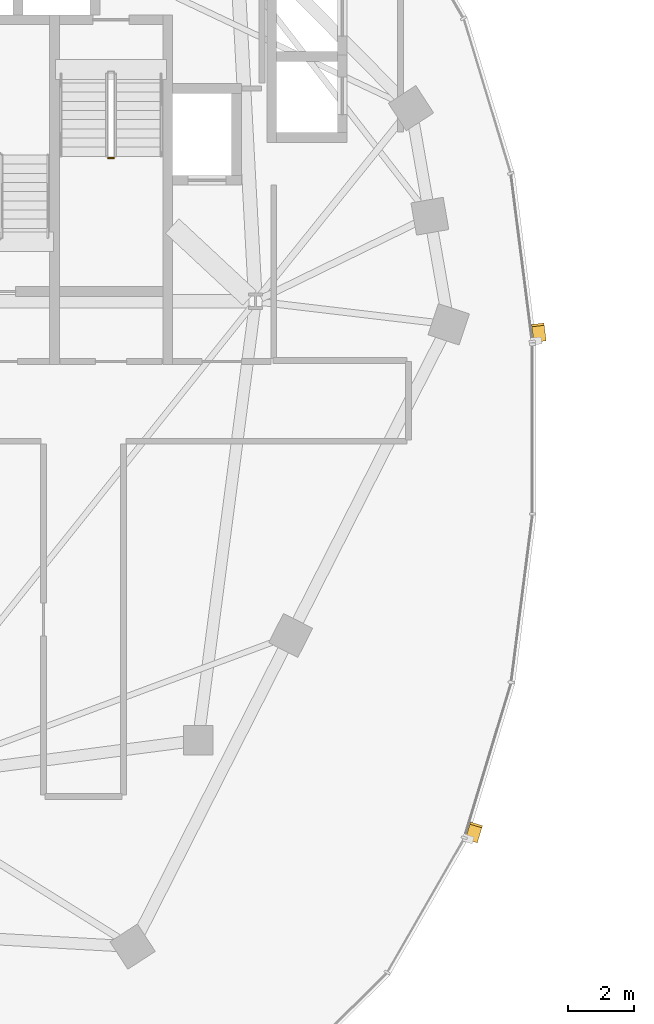
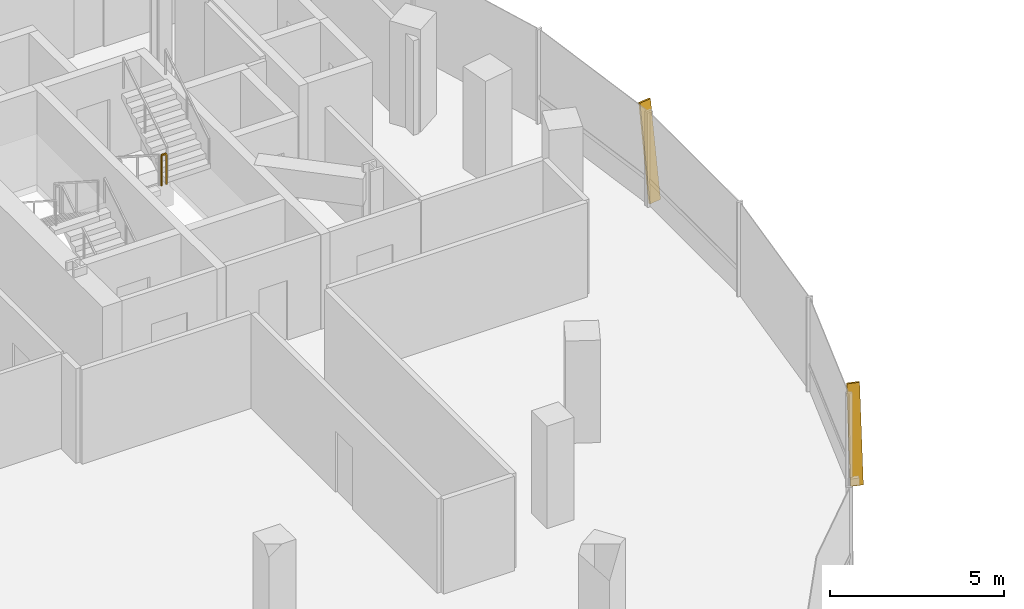
# One storey, part 18 of 21: 2 shading devices, 1 railing.
"""IFC4 building model written with IfcOpenShell, lengths in metres."""

import ifcopenshell
import ifcopenshell.guid

model = None  # the IFC model being written
_history = None  # IfcOwnerHistory: only IFC2X3 demands one
_inside = {}  # id of a spatial element -> (the spatial element, [elements in it])
_under = {}  # id of a project, library or spatial element -> (it, [spatial elements below it])
_declared = {}  # id of a project -> (the project, [libraries it declares])
_typed = {}  # id of a type object -> (the type object, [elements of that type])
_made_of = {}  # id of a material, layer set ... -> (it, [elements and type objects made of it])


def new_model(schema):
    """Start an empty IFC model of exactly this schema.

    Asked for "IFC4X3", IfcOpenShell would pick the latest addendum, in which some entities
    have other attributes; the version numbers below select the first issue.
    IFC2X3 requires an IfcOwnerHistory on every rooted entity: one is made here for all.
    """
    global model, _history
    if schema == "IFC4X3":
        model = ifcopenshell.file(schema_version=(4, 3, 0, 0))
    else:
        model = ifcopenshell.file(schema=schema)
    _inside.clear()
    _under.clear()
    _declared.clear()
    _typed.clear()
    _made_of.clear()
    _history = None
    if model.schema == "IFC2X3":
        org = make("IfcOrganization", Name="unknown")
        user = make(
            "IfcPersonAndOrganization",
            ThePerson=make("IfcPerson", FamilyName="unknown"),
            TheOrganization=org,
        )
        app = make(
            "IfcApplication",
            ApplicationDeveloper=org,
            Version="unknown",
            ApplicationFullName="unknown",
            ApplicationIdentifier="unknown",
        )
        _history = make(
            "IfcOwnerHistory",
            OwningUser=user,
            OwningApplication=app,
            ChangeAction="ADDED",
            CreationDate=0,
        )
    return model


def make(cls, **values):
    """One entity of the class cls with the attributes given. An attribute that is None is left unset."""
    return model.create_entity(
        cls, **{name: value for name, value in values.items() if value is not None}
    )


def rooted(cls, **values):
    """An entity with a GlobalId (a new one), such as an element, a storey or a relation."""
    return make(cls, GlobalId=ifcopenshell.guid.new(), OwnerHistory=_history, **values)


def si_unit(unit_type, name, prefix=None):
    """IfcSIUnit, for example si_unit("LENGTHUNIT", "METRE", prefix="MILLI")."""
    return make("IfcSIUnit", UnitType=unit_type, Prefix=prefix, Name=name)


def assignment(units):
    """IfcUnitAssignment: the units of a project."""
    return None if units is None else make("IfcUnitAssignment", Units=units)


def point(xyz):
    """IfcCartesianPoint."""
    return None if xyz is None else make("IfcCartesianPoint", Coordinates=xyz)


def direction(xyz):
    """IfcDirection."""
    return None if xyz is None else make("IfcDirection", DirectionRatios=xyz)


def frame(location, z_axis=None, x_axis=None):
    """IfcAxis2Placement3D, a coordinate frame: its origin and axes. An axis left out is left unset."""
    return make(
        "IfcAxis2Placement3D",
        Location=point(location),
        Axis=direction(z_axis),
        RefDirection=direction(x_axis),
    )


def frame_2d(location, x_axis=None):
    """IfcAxis2Placement2D, a coordinate frame in the plane: its origin and x axis."""
    return make(
        "IfcAxis2Placement2D", Location=point(location), RefDirection=direction(x_axis)
    )


def origin():
    """The frame at (0, 0, 0) with its axes left unset."""
    return frame((0.0, 0.0, 0.0))


def origin_2d():
    """The frame at (0, 0) in the plane with its x axis left unset."""
    return frame_2d((0.0, 0.0))


def place(relative_to, where):
    """IfcLocalPlacement: puts the frame where relative to a parent placement (None: the world)."""
    return make(
        "IfcLocalPlacement", PlacementRelTo=relative_to, RelativePlacement=where
    )


def context(
    kind, dimensions, precision=None, world=None, true_north=None, identifier=None
):
    """IfcGeometricRepresentationContext, for example the 3D "Model" context."""
    return make(
        "IfcGeometricRepresentationContext",
        ContextIdentifier=identifier,
        ContextType=kind,
        CoordinateSpaceDimension=dimensions,
        Precision=precision,
        WorldCoordinateSystem=world,
        TrueNorth=true_north,
    )


def subcontext(parent, identifier, kind, view, scale=None):
    """IfcGeometricRepresentationSubContext, for example "Body" below "Model"."""
    return make(
        "IfcGeometricRepresentationSubContext",
        ContextIdentifier=identifier,
        ContextType=kind,
        ParentContext=parent,
        TargetScale=scale,
        TargetView=view,
    )


def project(units=None, contexts=None):
    """IfcProject with its units and contexts."""
    return rooted(
        "IfcProject",
        Name="project",
        RepresentationContexts=contexts,
        UnitsInContext=assignment(units),
    )


def spatial(cls, under=None, at=None, **own):
    """A site, building, storey or space (cls), placed at a placement, below another one or the project."""
    s = rooted(cls, ObjectPlacement=at, **own)
    if under is not None:
        _under.setdefault(under.id(), (under, []))[1].append(s)
    return s


def profile(cls, at=None, kind="AREA", **sizes):
    """A parametric profile (cls). Its sizes go by their IFC names, for example OverallWidth=200.0."""
    return make(cls, ProfileType=kind, Position=at, **sizes)


def rectangle(**sizes):
    """IfcRectangleProfileDef."""
    return profile("IfcRectangleProfileDef", **sizes)


def extrude(swept, where, along, depth):
    """IfcExtrudedAreaSolid: the profile swept, set in the frame where, extruded along a direction by depth."""
    return make(
        "IfcExtrudedAreaSolid",
        SweptArea=swept,
        Position=where,
        ExtrudedDirection=direction(along),
        Depth=depth,
    )


def shape(context_of_items, identifier, shape_type, items):
    """IfcShapeRepresentation: the items that make up one representation, for example the "Body"."""
    return make(
        "IfcShapeRepresentation",
        ContextOfItems=context_of_items,
        RepresentationIdentifier=identifier,
        RepresentationType=shape_type,
        Items=items,
    )


def material(Name=None, Category=None):
    """IfcMaterial."""
    return make("IfcMaterial", Name=Name, Category=Category)


def material_profile(
    of_material, cross_section, Name=None, Category=None, Priority=None
):
    """IfcMaterialProfile: a cross section and its material."""
    return make(
        "IfcMaterialProfile",
        Name=Name,
        Material=of_material,
        Profile=cross_section,
        Priority=Priority,
        Category=Category,
    )


def profile_set(profiles, Name=None, composite=None):
    """IfcMaterialProfileSet."""
    return make(
        "IfcMaterialProfileSet",
        Name=Name,
        MaterialProfiles=profiles,
        CompositeProfile=composite,
    )


def made_of(thing, what):
    """Note that an element or type object is made of a material, layer set ...; save() writes the relation."""
    if what is not None:
        _made_of.setdefault(what.id(), (what, []))[1].append(thing)
    return thing


def type_object(cls, material=None, **own):
    """A type object (cls), such as IfcWallType, which elements share."""
    return made_of(rooted(cls, **own), material)


def element(
    cls,
    number,
    at=None,
    inside=None,
    cuts=None,
    type_object=None,
    material=None,
    context=None,
    identifier="Body",
    shape_type=None,
    held_by="IfcProductDefinitionShape",
    body=None,
    shapes=None,
    **own,
):
    """One element of the class cls, such as IfcWall. Its Tag is "e" and its number.

    at: its placement. inside: the storey or other place that contains it. cuts: it is an
    opening in that element (IfcRelVoidsElement). A single representation is given by context,
    identifier, shape_type and body (its items); several are given by shapes. held_by: the class
    of the entity that holds the representations. save() writes the other relations.
    """
    e = rooted(cls, Tag="e%d" % number, ObjectPlacement=at, **own)
    if body is not None:
        shapes = [shape(context, identifier, shape_type, body)]
    if shapes is not None:
        e.Representation = make(held_by, Representations=shapes)
    if inside is not None:
        _inside.setdefault(inside.id(), (inside, []))[1].append(e)
    if cuts is not None:
        rooted(
            "IfcRelVoidsElement", RelatingBuildingElement=cuts, RelatedOpeningElement=e
        )
    if type_object is not None:
        _typed.setdefault(type_object.id(), (type_object, []))[1].append(e)
    return made_of(e, material)


def aggregate(whole, parts):
    """IfcRelAggregates: a whole, such as a stair, and the parts it consists of."""
    return rooted("IfcRelAggregates", RelatingObject=whole, RelatedObjects=parts)


def save(model, path):
    """Write the relations noted so far, then the file.

    IfcRelAggregates (storeys below a building ...), IfcRelContainedInSpatialStructure (elements
    in a storey), IfcRelDefinesByType, IfcRelAssociatesMaterial and IfcRelDeclares: one each for
    every whole, place, type object, material and project.
    """
    for whole, parts in _under.values():
        aggregate(whole, parts)
    for where, things in _inside.values():
        rooted(
            "IfcRelContainedInSpatialStructure",
            RelatedElements=things,
            RelatingStructure=where,
        )
    for kind, things in _typed.values():
        rooted("IfcRelDefinesByType", RelatedObjects=things, RelatingType=kind)
    for what, things in _made_of.values():
        rooted("IfcRelAssociatesMaterial", RelatedObjects=things, RelatingMaterial=what)
    for by, libraries in _declared.values():
        rooted("IfcRelDeclares", RelatingContext=by, RelatedDefinitions=libraries)
    model.write(path)


model = new_model("IFC4")

# Units and contexts
model_context = context("Model", 3, precision=1e-05, world=origin(), true_north=direction((0.0, 1.0)))
body_context = subcontext(model_context, "Body", "Model", "MODEL_VIEW")
ifc_project = project(units=[si_unit("LENGTHUNIT", "METRE"), si_unit("AREAUNIT", "SQUARE_METRE"), si_unit("VOLUMEUNIT", "CUBIC_METRE"), si_unit("PLANEANGLEUNIT", "RADIAN"), si_unit("MASSUNIT", "GRAM", prefix="KILO"), si_unit("THERMODYNAMICTEMPERATUREUNIT", "KELVIN"), si_unit("POWERUNIT", "WATT")], contexts=[model_context])

# Site, building, storey
site_placement = place(None, origin())
site = spatial("IfcSite", under=ifc_project, at=site_placement, CompositionType="ELEMENT")
building_placement = place(site_placement, origin())
building = spatial("IfcBuilding", under=site, at=building_placement, Name="Cundina Bronze Exchange", CompositionType="ELEMENT")
storey_placement = place(building_placement, frame((0.0, 0.0, 183.60009765625)))
storey = spatial("IfcBuildingStorey", under=building, at=storey_placement, Name="L48", CompositionType="ELEMENT", Elevation=183.60009765625)

# Railing
ifc_material_1 = material(Name="Steel ASTM A36 Painted", Category="steel")
railing_type = type_object("IfcRailingType", Name="RLG-STG-1100", PredefinedType="GUARDRAIL", material=ifc_material_1)
railing_placement = place(storey_placement, frame((-25.93994140625, 8.280029296875, 1.7998046875)))
element("IfcRailing", 1, at=railing_placement, inside=storey, type_object=railing_type, Name="L48 ST-W2 stair guard 2", PredefinedType="GUARDRAIL", context=body_context, shape_type="SweptSolid", body=[
    extrude(rectangle(XDim=0.048095703125, YDim=0.048095703125, at=origin_2d()), frame((0.0, 0.0, 1.076171875), z_axis=(1.0, 0.0, 0.0), x_axis=(0.0, 1.0, 0.0)), (0.0, 0.0, 1.0), 0.159912109375),
    extrude(rectangle(XDim=0.0419921875, YDim=0.0419921875, at=origin_2d()), origin(), (0.0, 0.0, 1.0), 1.052001953125),
    extrude(rectangle(XDim=0.0419921875, YDim=0.0419921875, at=origin_2d()), frame((0.159912109375, 0.0, 0.0)), (0.0, 0.0, 1.0), 1.052001953125),
])

# Shading devices
ifc_material_2 = material(Name="Anodised Bronze Aluminium 6063-T6", Category="aluminium")
ifc_material_profile = material_profile(ifc_material_2, rectangle(XDim=0.070068359375, YDim=0.3798828125, at=origin_2d()), Name="FIN70X380", Category="aluminium")
ifc_profile_set = profile_set([ifc_material_profile], Name="Anodised Bronze Aluminium 6063-T6")
shading_device_type = type_object("IfcShadingDeviceType", Name="SHD-FIN-BRZ380", PredefinedType="USERDEFINED", material=ifc_profile_set)
for number, where, z_axis, x_axis, name in (
    (2, (-12.76513671875, 2.705810546875, 0.02001953125), (-0.018339743525, 0.143624497484, 0.989462307281), (0.125329091025, -0.981492881519, 0.144790685025), "L48 Diagonal Bronze Solar Fin 1"),
    (3, (-14.848876953125, -12.5439453125, 0.02001953125), (0.04198228089, 0.138615180062, 0.989456072773), (-0.286809921927, -0.946975917662, 0.144833283649), "L48 Diagonal Bronze Solar Fin 5"),
):
    element("IfcShadingDevice", number, at=place(storey_placement, frame(where, z_axis=z_axis, x_axis=x_axis)), inside=storey, type_object=shading_device_type, Name=name, ObjectType="FIN", PredefinedType="USERDEFINED", context=body_context, shape_type="SweptSolid", body=[
        extrude(rectangle(XDim=0.070068359375, YDim=0.3798828125, at=origin_2d()), origin(), (0.0, 0.0, 1.0), 3.314697265625),
    ])

save(model, "model.ifc")
